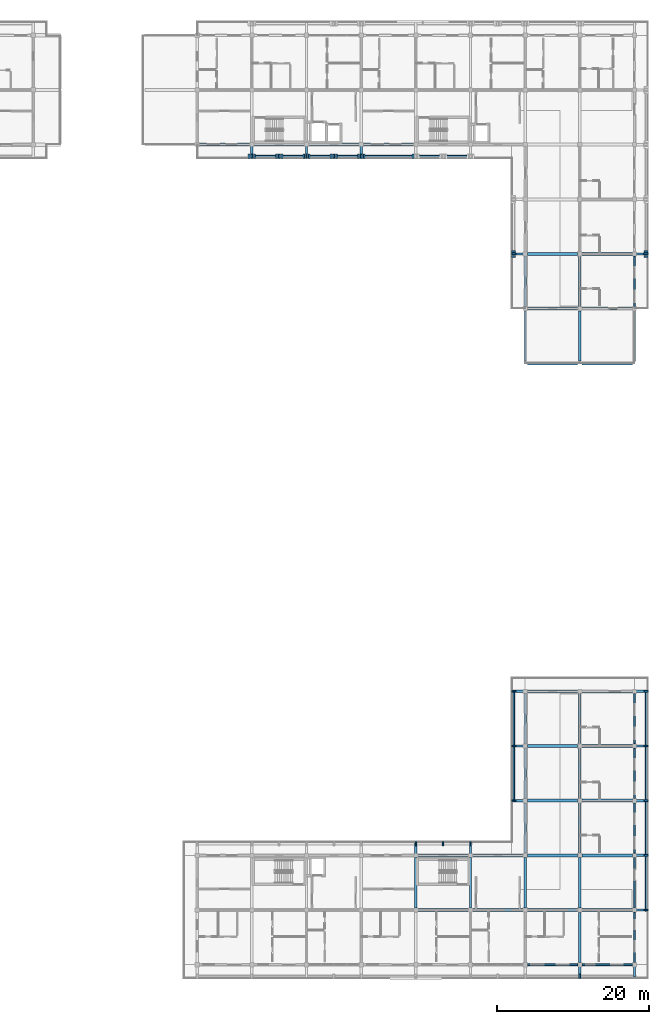
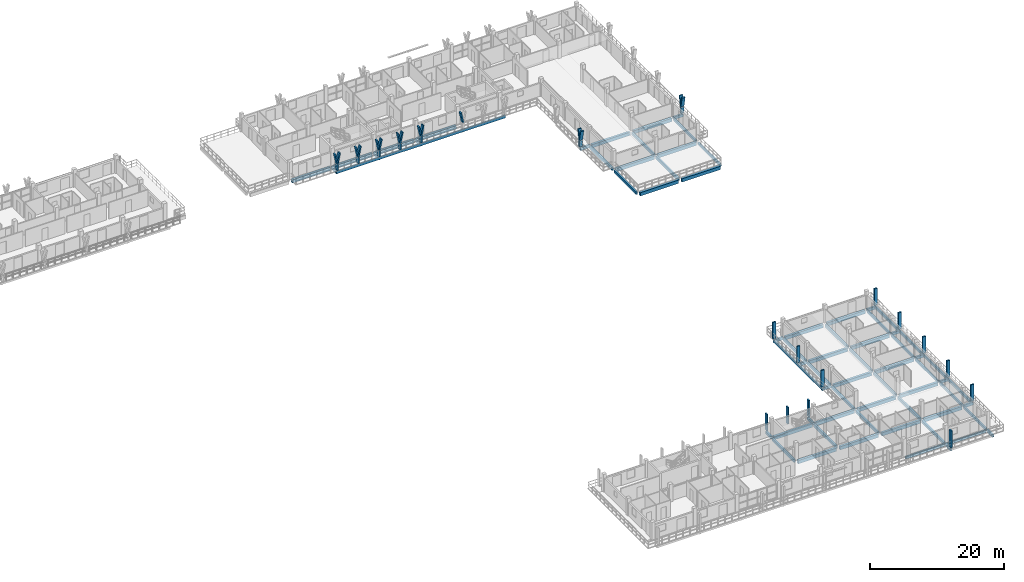
# One storey, part 23 of 73: 68 beams, 34 members.
"""IFC4 building model written with IfcOpenShell, lengths in metres."""

from ifc_helpers import new_model, si_unit, direction, frame, origin, origin_2d, place, context, subcontext, project, spatial, rectangle, extrude, material, material_profile, profile_set, type_object, element, save


model = new_model("IFC4")

# Units and contexts
model_context = context("Model", 3, precision=1e-05, world=origin(), true_north=direction((0.0, 1.0)))
body_context = subcontext(model_context, "Body", "Model", "MODEL_VIEW")
ifc_project = project(units=[si_unit("LENGTHUNIT", "METRE"), si_unit("AREAUNIT", "SQUARE_METRE"), si_unit("VOLUMEUNIT", "CUBIC_METRE"), si_unit("PLANEANGLEUNIT", "RADIAN"), si_unit("MASSUNIT", "GRAM", prefix="KILO")], contexts=[model_context])

# Site, building, storey
site_placement = place(None, origin())
site = spatial("IfcSite", under=ifc_project, at=site_placement, CompositionType="ELEMENT")
building_placement = place(site_placement, origin())
building = spatial("IfcBuilding", under=site, at=building_placement, Name="Suanplinth Sawtooth Commons", CompositionType="ELEMENT")
storey_placement = place(building_placement, frame((0.0, 0.0, 21.89990234375)))
storey = spatial("IfcBuildingStorey", under=building, at=storey_placement, Name="L06", CompositionType="ELEMENT", Elevation=21.89990234375)

# Beams
ifc_material_1 = material(Name="Precast concrete C40/50", Category="concrete")
ifc_material_profile_1 = material_profile(ifc_material_1, rectangle(XDim=0.39990234375, YDim=0.60009765625, at=origin_2d()), Name="PC-GDR 400x600")
ifc_profile_set_1 = profile_set([ifc_material_profile_1], Name="Precast concrete C40/50")
beam_type_1 = type_object("IfcBeamType", Name="B-05", PredefinedType="USERDEFINED", material=ifc_profile_set_1)
beam_1_placement = place(storey_placement, frame((129.89990234375, 108.0, -0.539794921875), z_axis=(1.0, 0.0, 0.0), x_axis=(0.0, 1.0, 0.0)))
element("IfcBeam", 1, at=beam_1_placement, inside=storey, type_object=beam_type_1, Name="BMX-L06-B-18-15", ObjectType="GIRDER", PredefinedType="USERDEFINED", context=body_context, shape_type="SweptSolid", body=[
    extrude(rectangle(XDim=0.39990234375, YDim=0.60009765625, at=origin_2d()), origin(), (0.0, 0.0, 1.0), 6.60009765625),
])
for number, where, z_axis, x_axis, name in (
    (2, (137.10009765625, 108.0, -0.539794921875), (1.0, 0.0, 0.0), (0.0, 1.0, 0.0), "BMX-L06-B-19-15"),
    (3, (144.300048828125, 108.0, -0.539794921875), (1.0, 0.0, 0.0), (0.0, 1.0, 0.0), "BMX-L06-B-20-15"),
):
    element("IfcBeam", number, at=place(storey_placement, frame(where, z_axis=z_axis, x_axis=x_axis)), inside=storey, type_object=beam_type_1, Name=name, ObjectType="GIRDER", PredefinedType="USERDEFINED", context=body_context, shape_type="SweptSolid", body=[
        extrude(rectangle(XDim=0.39990234375, YDim=0.60009765625, at=origin_2d()), origin(), (0.0, 0.0, 1.0), 6.599853515625),
    ])
beam_2_placement = place(storey_placement, frame((151.5, 108.0, -0.539794921875), z_axis=(1.0, 0.0, 0.0), x_axis=(0.0, 1.0, 0.0)))
element("IfcBeam", 4, at=beam_2_placement, inside=storey, type_object=beam_type_1, Name="BMX-L06-B-21-15", ObjectType="GIRDER", PredefinedType="USERDEFINED", context=body_context, shape_type="SweptSolid", body=[
    extrude(rectangle(XDim=0.39990234375, YDim=0.60009765625, at=origin_2d()), origin(), (0.0, 0.0, 1.0), 6.60009765625),
])
for number, where, z_axis, x_axis, name in (
    (5, (173.10009765625, 79.199951171875, -0.539794921875), (1.0, 0.0, 0.0), (0.0, 1.0, 0.0), "BMX-L06-B-24-11"),
    (6, (173.10009765625, 86.39990234375, -0.539794921875), (1.0, 0.0, 0.0), (0.0, 1.0, 0.0), "BMX-L06-B-24-12"),
    (7, (173.10009765625, 93.60009765625, -0.539794921875), (1.0, 0.0, 0.0), (0.0, 1.0, 0.0), "BMX-L06-B-24-13"),
    (8, (180.300048828125, 79.199951171875, -0.539794921875), (1.0, 0.0, 0.0), (0.0, 1.0, 0.0), "BMX-L06-B-25-11"),
    (9, (180.300048828125, 86.39990234375, -0.539794921875), (1.0, 0.0, 0.0), (0.0, 1.0, 0.0), "BMX-L06-B-25-12"),
    (10, (180.300048828125, 93.60009765625, -0.539794921875), (1.0, 0.0, 0.0), (0.0, 1.0, 0.0), "BMX-L06-B-25-13"),
):
    element("IfcBeam", number, at=place(storey_placement, frame(where, z_axis=z_axis, x_axis=x_axis)), inside=storey, type_object=beam_type_1, Name=name, ObjectType="GIRDER", PredefinedType="USERDEFINED", context=body_context, shape_type="SweptSolid", body=[
        extrude(rectangle(XDim=0.39990234375, YDim=0.60009765625, at=origin_2d()), origin(), (0.0, 0.0, 1.0), 6.599853515625),
    ])
for number, where, z_axis, x_axis, name in (
    (11, (158.699951171875, 7.199951171875, -0.539794921875), (1.0, 0.0, 0.0), (0.0, 1.0, 0.0), "BMX-L06-C-22-1"),
    (12, (158.699951171875, 14.39990234375, -0.539794921875), (1.0, 0.0, 0.0), (0.0, 1.0, 0.0), "BMX-L06-C-22-2"),
    (13, (165.89990234375, 7.199951171875, -0.539794921875), (1.0, 0.0, 0.0), (0.0, 1.0, 0.0), "BMX-L06-C-23-1"),
    (14, (165.89990234375, 14.39990234375, -0.539794921875), (1.0, 0.0, 0.0), (0.0, 1.0, 0.0), "BMX-L06-C-23-2"),
):
    element("IfcBeam", number, at=place(storey_placement, frame(where, z_axis=z_axis, x_axis=x_axis)), inside=storey, type_object=beam_type_1, Name=name, ObjectType="GIRDER", PredefinedType="USERDEFINED", context=body_context, shape_type="SweptSolid", body=[
        extrude(rectangle(XDim=0.39990234375, YDim=0.60009765625, at=origin_2d()), origin(), (0.0, 0.0, 1.0), 6.60009765625),
    ])
for number, where, z_axis, x_axis, name in (
    (15, (173.10009765625, 7.199951171875, -0.539794921875), (1.0, 0.0, 0.0), (0.0, 1.0, 0.0), "BMX-L06-C-24-1"),
    (16, (173.10009765625, 14.39990234375, -0.539794921875), (1.0, 0.0, 0.0), (0.0, 1.0, 0.0), "BMX-L06-C-24-2"),
    (17, (173.10009765625, 21.60009765625, -0.539794921875), (1.0, 0.0, 0.0), (0.0, 1.0, 0.0), "BMX-L06-C-24-3"),
    (18, (173.10009765625, 28.800048828125, -0.539794921875), (1.0, 0.0, 0.0), (0.0, 1.0, 0.0), "BMX-L06-C-24-4"),
    (19, (173.10009765625, 36.0, -0.539794921875), (1.0, 0.0, 0.0), (0.0, 1.0, 0.0), "BMX-L06-C-24-5"),
    (20, (180.300048828125, 7.199951171875, -0.539794921875), (1.0, 0.0, 0.0), (0.0, 1.0, 0.0), "BMX-L06-C-25-1"),
    (21, (180.300048828125, 14.39990234375, -0.539794921875), (1.0, 0.0, 0.0), (0.0, 1.0, 0.0), "BMX-L06-C-25-2"),
    (22, (180.300048828125, 21.60009765625, -0.539794921875), (1.0, 0.0, 0.0), (0.0, 1.0, 0.0), "BMX-L06-C-25-3"),
    (23, (180.300048828125, 28.800048828125, -0.539794921875), (1.0, 0.0, 0.0), (0.0, 1.0, 0.0), "BMX-L06-C-25-4"),
    (24, (180.300048828125, 36.0, -0.539794921875), (1.0, 0.0, 0.0), (0.0, 1.0, 0.0), "BMX-L06-C-25-5"),
):
    element("IfcBeam", number, at=place(storey_placement, frame(where, z_axis=z_axis, x_axis=x_axis)), inside=storey, type_object=beam_type_1, Name=name, ObjectType="GIRDER", PredefinedType="USERDEFINED", context=body_context, shape_type="SweptSolid", body=[
        extrude(rectangle(XDim=0.39990234375, YDim=0.60009765625, at=origin_2d()), origin(), (0.0, 0.0, 1.0), 6.599853515625),
    ])
ifc_material_profile_2 = material_profile(ifc_material_1, rectangle(XDim=0.300048828125, YDim=0.5, at=origin_2d()), Name="PC-BM 300x500")
ifc_profile_set_2 = profile_set([ifc_material_profile_2], Name="Precast concrete C40/50")
beam_type_2 = type_object("IfcBeamType", Name="B-07", PredefinedType="BEAM", material=ifc_profile_set_2)
for number, where, z_axis, x_axis, name in (
    (25, (172.800048828125, 79.5, -0.489990234375), (0.0, 1.0, 0.0), (-1.0, 0.0, 0.0), "BMY-L06-B-24-11"),
    (26, (172.800048828125, 86.699951171875, -0.489990234375), (0.0, 1.0, 0.0), (-1.0, 0.0, 0.0), "BMY-L06-B-24-12"),
    (27, (180.0, 79.5, -0.489990234375), (0.0, 1.0, 0.0), (-1.0, 0.0, 0.0), "BMY-L06-B-25-11"),
    (28, (180.0, 86.699951171875, -0.489990234375), (0.0, 1.0, 0.0), (-1.0, 0.0, 0.0), "BMY-L06-B-25-12"),
    (29, (158.39990234375, 7.5, -0.489990234375), (0.0, 1.0, 0.0), (-1.0, 0.0, 0.0), "BMY-L06-C-22-1"),
    (30, (165.60009765625, 7.5, -0.489990234375), (0.0, 1.0, 0.0), (-1.0, 0.0, 0.0), "BMY-L06-C-23-1"),
    (31, (172.800048828125, 7.5, -0.489990234375), (0.0, 1.0, 0.0), (-1.0, 0.0, 0.0), "BMY-L06-C-24-1"),
    (32, (172.800048828125, 14.699951171875, -0.489990234375), (0.0, 1.0, 0.0), (-1.0, 0.0, 0.0), "BMY-L06-C-24-2"),
    (33, (172.800048828125, 21.89990234375, -0.489990234375), (0.0, 1.0, 0.0), (-1.0, 0.0, 0.0), "BMY-L06-C-24-3"),
):
    element("IfcBeam", number, at=place(storey_placement, frame(where, z_axis=z_axis, x_axis=x_axis)), inside=storey, type_object=beam_type_2, Name=name, PredefinedType="BEAM", context=body_context, shape_type="SweptSolid", body=[
        extrude(rectangle(XDim=0.300048828125, YDim=0.5, at=origin_2d()), origin(), (0.0, 0.0, 1.0), 6.60009765625),
    ])
for number, where, z_axis, x_axis, name in (
    (34, (172.800048828125, 29.10009765625, -0.489990234375), (0.0, 1.0, 0.0), (-1.0, 0.0, 0.0), "BMY-L06-C-24-4"),
    (35, (180.0, 0.300048828125, -0.489990234375), (0.0, 1.0, 0.0), (-1.0, 0.0, 0.0), "BMY-L06-C-25-0"),
):
    element("IfcBeam", number, at=place(storey_placement, frame(where, z_axis=z_axis, x_axis=x_axis)), inside=storey, type_object=beam_type_2, Name=name, PredefinedType="BEAM", context=body_context, shape_type="SweptSolid", body=[
        extrude(rectangle(XDim=0.300048828125, YDim=0.5, at=origin_2d()), origin(), (0.0, 0.0, 1.0), 6.599853515625),
    ])
for number, where, z_axis, x_axis, name in (
    (36, (180.0, 7.5, -0.489990234375), (0.0, 1.0, 0.0), (-1.0, 0.0, 0.0), "BMY-L06-C-25-1"),
    (37, (180.0, 14.699951171875, -0.489990234375), (0.0, 1.0, 0.0), (-1.0, 0.0, 0.0), "BMY-L06-C-25-2"),
    (38, (180.0, 21.89990234375, -0.489990234375), (0.0, 1.0, 0.0), (-1.0, 0.0, 0.0), "BMY-L06-C-25-3"),
):
    element("IfcBeam", number, at=place(storey_placement, frame(where, z_axis=z_axis, x_axis=x_axis)), inside=storey, type_object=beam_type_2, Name=name, PredefinedType="BEAM", context=body_context, shape_type="SweptSolid", body=[
        extrude(rectangle(XDim=0.300048828125, YDim=0.5, at=origin_2d()), origin(), (0.0, 0.0, 1.0), 6.60009765625),
    ])
beam_3_placement = place(storey_placement, frame((180.0, 29.10009765625, -0.489990234375), z_axis=(0.0, 1.0, 0.0), x_axis=(-1.0, 0.0, 0.0)))
element("IfcBeam", 39, at=beam_3_placement, inside=storey, type_object=beam_type_2, Name="BMY-L06-C-25-4", PredefinedType="BEAM", context=body_context, shape_type="SweptSolid", body=[
    extrude(rectangle(XDim=0.300048828125, YDim=0.5, at=origin_2d()), origin(), (0.0, 0.0, 1.0), 6.599853515625),
])
beam_4_placement = place(storey_placement, frame((187.199951171875, 93.60009765625, -0.429931640625), z_axis=(1.0, 0.0, 0.0), x_axis=(0.0, 1.0, 0.0)))
element("IfcBeam", 40, at=beam_4_placement, inside=storey, type_object=beam_type_2, Name="Balcony Outrigger L06-B-E-13", PredefinedType="BEAM", context=body_context, shape_type="SweptSolid", body=[
    extrude(rectangle(XDim=0.300048828125, YDim=0.5, at=origin_2d()), origin(), (0.0, 0.0, 1.0), 1.64013671875),
])
for number, where, z_axis, x_axis, name in (
    (41, (136.800048828125, 108.0, -0.4248046875), (0.0, -1.0, 0.0), (1.0, 0.0, 0.0), "Balcony Outrigger L06-B-SC-19"),
    (42, (144.0, 108.0, -0.4248046875), (0.0, -1.0, 0.0), (1.0, 0.0, 0.0), "Balcony Outrigger L06-B-SC-20"),
    (43, (151.199951171875, 108.0, -0.4248046875), (0.0, -1.0, 0.0), (1.0, 0.0, 0.0), "Balcony Outrigger L06-B-SC-21"),
):
    element("IfcBeam", number, at=place(storey_placement, frame(where, z_axis=z_axis, x_axis=x_axis)), inside=storey, type_object=beam_type_2, Name=name, PredefinedType="BEAM", context=body_context, shape_type="SweptSolid", body=[
        extrude(rectangle(XDim=0.300048828125, YDim=0.5, at=origin_2d()), origin(), (0.0, 0.0, 1.0), 1.639892578125),
    ])
beam_5_placement = place(storey_placement, frame((172.800048828125, 93.60009765625, -0.4248046875), z_axis=(-1.0, 0.0, 0.0), x_axis=(0.0, -1.0, 0.0)))
element("IfcBeam", 44, at=beam_5_placement, inside=storey, type_object=beam_type_2, Name="Balcony Outrigger L06-B-WC-13", PredefinedType="BEAM", context=body_context, shape_type="SweptSolid", body=[
    extrude(rectangle(XDim=0.300048828125, YDim=0.5, at=origin_2d()), origin(), (0.0, 0.0, 1.0), 1.64013671875),
])
for number, where, z_axis, x_axis, name in (
    (45, (180.0, 0.0, -0.429931640625), (0.0, -1.0, 0.0), (1.0, 0.0, 0.0), "Balcony Outrigger L06-C-S-25"),
    (46, (187.199951171875, 0.0, -0.429931640625), (0.0, -1.0, 0.0), (1.0, 0.0, 0.0), "Balcony Outrigger L06-C-S-26"),
):
    element("IfcBeam", number, at=place(storey_placement, frame(where, z_axis=z_axis, x_axis=x_axis)), inside=storey, type_object=beam_type_2, Name=name, PredefinedType="BEAM", context=body_context, shape_type="SweptSolid", body=[
        extrude(rectangle(XDim=0.300048828125, YDim=0.5, at=origin_2d()), origin(), (0.0, 0.0, 1.0), 1.639892578125),
    ])
for number, where, z_axis, x_axis, name in (
    (47, (187.199951171875, 7.199951171875, -0.429931640625), (1.0, 0.0, 0.0), (0.0, 1.0, 0.0), "Balcony Outrigger L06-C-E-1"),
    (48, (187.199951171875, 14.39990234375, -0.429931640625), (1.0, 0.0, 0.0), (0.0, 1.0, 0.0), "Balcony Outrigger L06-C-E-2"),
    (49, (187.199951171875, 21.60009765625, -0.429931640625), (1.0, 0.0, 0.0), (0.0, 1.0, 0.0), "Balcony Outrigger L06-C-E-3"),
    (50, (187.199951171875, 28.800048828125, -0.429931640625), (1.0, 0.0, 0.0), (0.0, 1.0, 0.0), "Balcony Outrigger L06-C-E-4"),
    (51, (187.199951171875, 36.0, -0.429931640625), (1.0, 0.0, 0.0), (0.0, 1.0, 0.0), "Balcony Outrigger L06-C-E-5"),
    (52, (158.39990234375, 14.39990234375, -0.4248046875), (0.0, 1.0, 0.0), (-1.0, 0.0, 0.0), "Balcony Outrigger L06-C-NC-22"),
    (53, (165.60009765625, 14.39990234375, -0.4248046875), (0.0, 1.0, 0.0), (-1.0, 0.0, 0.0), "Balcony Outrigger L06-C-NC-23"),
    (54, (172.800048828125, 21.60009765625, -0.4248046875), (-1.0, 0.0, 0.0), (0.0, -1.0, 0.0), "Balcony Outrigger L06-C-WC-3"),
    (55, (172.800048828125, 28.800048828125, -0.4248046875), (-1.0, 0.0, 0.0), (0.0, -1.0, 0.0), "Balcony Outrigger L06-C-WC-4"),
    (56, (172.800048828125, 36.0, -0.4248046875), (-1.0, 0.0, 0.0), (0.0, -1.0, 0.0), "Balcony Outrigger L06-C-WC-5"),
):
    element("IfcBeam", number, at=place(storey_placement, frame(where, z_axis=z_axis, x_axis=x_axis)), inside=storey, type_object=beam_type_2, Name=name, PredefinedType="BEAM", context=body_context, shape_type="SweptSolid", body=[
        extrude(rectangle(XDim=0.300048828125, YDim=0.5, at=origin_2d()), origin(), (0.0, 0.0, 1.0), 1.64013671875),
    ])
ifc_material_profile_3 = material_profile(ifc_material_1, rectangle(XDim=0.25, YDim=0.449951171875, at=origin_2d()), Name="PC-SP 250x450")
ifc_profile_set_3 = profile_set([ifc_material_profile_3], Name="Precast concrete C40/50")
beam_type_3 = type_object("IfcBeamType", Name="B-09", PredefinedType="SPANDREL", material=ifc_profile_set_3)
for number, where, z_axis, x_axis, name in (
    (57, (187.199951171875, 79.5, -0.46484375), (0.0, 1.0, 0.0), (-1.0, 0.0, 0.0), "BMY-L06-B-26-11"),
    (58, (187.199951171875, 86.699951171875, -0.46484375), (0.0, 1.0, 0.0), (-1.0, 0.0, 0.0), "BMY-L06-B-26-12"),
):
    element("IfcBeam", number, at=place(storey_placement, frame(where, z_axis=z_axis, x_axis=x_axis)), inside=storey, type_object=beam_type_3, Name=name, PredefinedType="SPANDREL", context=body_context, shape_type="SweptSolid", body=[
        extrude(rectangle(XDim=0.25, YDim=0.449951171875, at=origin_2d()), origin(), (0.0, 0.0, 1.0), 6.60009765625),
    ])
for number, where, z_axis, x_axis, name in (
    (59, (173.10009765625, 0.0, -0.46484375), (1.0, 0.0, 0.0), (0.0, 1.0, 0.0), "BMX-L06-C-24-0"),
    (60, (180.300048828125, 0.0, -0.46484375), (1.0, 0.0, 0.0), (0.0, 1.0, 0.0), "BMX-L06-C-25-0"),
    (61, (187.199951171875, 0.300048828125, -0.46484375), (0.0, 1.0, 0.0), (-1.0, 0.0, 0.0), "BMY-L06-C-26-0"),
):
    element("IfcBeam", number, at=place(storey_placement, frame(where, z_axis=z_axis, x_axis=x_axis)), inside=storey, type_object=beam_type_3, Name=name, PredefinedType="SPANDREL", context=body_context, shape_type="SweptSolid", body=[
        extrude(rectangle(XDim=0.25, YDim=0.449951171875, at=origin_2d()), origin(), (0.0, 0.0, 1.0), 6.599853515625),
    ])
for number, where, z_axis, x_axis, name in (
    (62, (187.199951171875, 7.5, -0.46484375), (0.0, 1.0, 0.0), (-1.0, 0.0, 0.0), "BMY-L06-C-26-1"),
    (63, (187.199951171875, 14.699951171875, -0.46484375), (0.0, 1.0, 0.0), (-1.0, 0.0, 0.0), "BMY-L06-C-26-2"),
    (64, (187.199951171875, 21.89990234375, -0.46484375), (0.0, 1.0, 0.0), (-1.0, 0.0, 0.0), "BMY-L06-C-26-3"),
):
    element("IfcBeam", number, at=place(storey_placement, frame(where, z_axis=z_axis, x_axis=x_axis)), inside=storey, type_object=beam_type_3, Name=name, PredefinedType="SPANDREL", context=body_context, shape_type="SweptSolid", body=[
        extrude(rectangle(XDim=0.25, YDim=0.449951171875, at=origin_2d()), origin(), (0.0, 0.0, 1.0), 6.60009765625),
    ])
beam_6_placement = place(storey_placement, frame((187.199951171875, 29.10009765625, -0.46484375), z_axis=(0.0, 1.0, 0.0), x_axis=(-1.0, 0.0, 0.0)))
element("IfcBeam", 65, at=beam_6_placement, inside=storey, type_object=beam_type_3, Name="BMY-L06-C-26-4", PredefinedType="SPANDREL", context=body_context, shape_type="SweptSolid", body=[
    extrude(rectangle(XDim=0.25, YDim=0.449951171875, at=origin_2d()), origin(), (0.0, 0.0, 1.0), 6.599853515625),
])
beam_7_placement = place(storey_placement, frame((136.64990234375, 106.47998046875, -0.39990234375), z_axis=(1.0, 0.0, 0.0), x_axis=(0.0, 1.0, 0.0)))
element("IfcBeam", 66, at=beam_7_placement, inside=storey, type_object=beam_type_3, Name="Balcony Edge Fascia L06-B-SC", PredefinedType="SPANDREL", context=body_context, shape_type="SweptSolid", body=[
    extrude(rectangle(XDim=0.25, YDim=0.449951171875, at=origin_2d()), origin(), (0.0, 0.0, 1.0), 29.10009765625),
])
beam_8_placement = place(storey_placement, frame((188.719970703125, 7.050048828125, -0.40478515625), z_axis=(0.0, 1.0, 0.0), x_axis=(-1.0, 0.0, 0.0)))
element("IfcBeam", 67, at=beam_8_placement, inside=storey, type_object=beam_type_3, Name="Balcony Edge Fascia L06-C-E", PredefinedType="SPANDREL", context=body_context, shape_type="SweptSolid", body=[
    extrude(rectangle(XDim=0.25, YDim=0.449951171875, at=origin_2d()), origin(), (0.0, 0.0, 1.0), 29.099853515625),
])
beam_9_placement = place(storey_placement, frame((171.280029296875, 21.449951171875, -0.39990234375), z_axis=(0.0, 1.0, 0.0), x_axis=(-1.0, 0.0, 0.0)))
element("IfcBeam", 68, at=beam_9_placement, inside=storey, type_object=beam_type_3, Name="Balcony Edge Fascia L06-C-WC", PredefinedType="SPANDREL", context=body_context, shape_type="SweptSolid", body=[
    extrude(rectangle(XDim=0.25, YDim=0.449951171875, at=origin_2d()), origin(), (0.0, 0.0, 1.0), 14.699951171875),
])

# Members
ifc_material_2 = material(Name="Pigmented precast concrete C40/50", Category="concrete")
ifc_material_profile_4 = material_profile(ifc_material_2, rectangle(XDim=0.260009765625, YDim=0.550048828125, at=origin_2d()), Name="PC-FIN 260x550")
ifc_profile_set_4 = profile_set([ifc_material_profile_4], Name="Pigmented precast concrete C40/50")
member_type_1 = type_object("IfcMemberType", Name="M-09", PredefinedType="USERDEFINED", material=ifc_profile_set_4)
for number, where, z_axis, x_axis, name in (
    (69, (188.719970703125, 93.60009765625, 0.0), (0.0, 0.0, 1.0), (0.0, 1.0, 0.0), "Y-Blade Stem L06-B-E-08"),
    (70, (136.800048828125, 106.47998046875, 0.0), (0.0, 0.0, 1.0), (1.0, 0.0, 0.0), "Y-Blade Stem L06-B-SC-12"),
    (71, (140.39990234375, 106.47998046875, 0.0), (0.0, 0.0, 1.0), (1.0, 0.0, 0.0), "Y-Blade Stem L06-B-SC-13"),
    (72, (144.0, 106.47998046875, 0.0), (0.0, 0.0, 1.0), (1.0, 0.0, 0.0), "Y-Blade Stem L06-B-SC-14"),
    (73, (147.60009765625, 106.47998046875, 0.0), (0.0, 0.0, 1.0), (1.0, 0.0, 0.0), "Y-Blade Stem L06-B-SC-15"),
    (74, (151.199951171875, 106.47998046875, 0.0), (0.0, 0.0, 1.0), (1.0, 0.0, 0.0), "Y-Blade Stem L06-B-SC-16"),
    (75, (171.280029296875, 93.60009765625, 0.0), (0.0, 0.0, 1.0), (0.0, 1.0, 0.0), "Y-Blade Stem L06-B-WC-20"),
):
    element("IfcMember", number, at=place(storey_placement, frame(where, z_axis=z_axis, x_axis=x_axis)), inside=storey, type_object=member_type_1, Name=name, ObjectType="SHADING FIN", PredefinedType="USERDEFINED", context=body_context, shape_type="SweptSolid", body=[
        extrude(rectangle(XDim=0.260009765625, YDim=0.550048828125, at=origin_2d()), origin(), (0.0, 0.0, 1.0), 1.170166015625),
    ])
ifc_material_profile_5 = material_profile(ifc_material_2, rectangle(XDim=0.219970703125, YDim=0.550048828125, at=origin_2d()), Name="PC-FIN 220x550")
ifc_profile_set_5 = profile_set([ifc_material_profile_5], Name="Pigmented precast concrete C40/50")
member_type_2 = type_object("IfcMemberType", Name="M-10", PredefinedType="USERDEFINED", material=ifc_profile_set_5)
member_1_placement = place(storey_placement, frame((188.719970703125, 93.60009765625, 1.130126953125), z_axis=(0.0, -0.196431120402, 0.980517626021), x_axis=(0.0, 0.980517626021, 0.196431120402)))
element("IfcMember", 76, at=member_1_placement, inside=storey, type_object=member_type_2, Name="Y-Blade Arm L L06-B-E-08", ObjectType="SHADING FIN", PredefinedType="USERDEFINED", context=body_context, shape_type="SweptSolid", body=[
    extrude(rectangle(XDim=0.219970703125, YDim=0.550048828125, at=origin_2d()), origin(), (0.0, 0.0, 1.0), 1.937744140625),
])
member_2_placement = place(storey_placement, frame((188.719970703125, 93.60009765625, 1.130126953125), z_axis=(0.0, 0.196309979414, 0.980541886909), x_axis=(0.0, -0.980541886909, 0.196309979414)))
element("IfcMember", 77, at=member_2_placement, inside=storey, type_object=member_type_2, Name="Y-Blade Arm R L06-B-E-08", ObjectType="SHADING FIN", PredefinedType="USERDEFINED", context=body_context, shape_type="SweptSolid", body=[
    extrude(rectangle(XDim=0.219970703125, YDim=0.550048828125, at=origin_2d()), origin(), (0.0, 0.0, 1.0), 1.9375),
])
member_3_placement = place(storey_placement, frame((136.800048828125, 106.47998046875, 1.130126953125), z_axis=(-0.196431120402, 0.0, 0.980517626021), x_axis=(0.980517626021, 0.0, 0.196431120402)))
element("IfcMember", 78, at=member_3_placement, inside=storey, type_object=member_type_2, Name="Y-Blade Arm L L06-B-SC-12", ObjectType="SHADING FIN", PredefinedType="USERDEFINED", context=body_context, shape_type="SweptSolid", body=[
    extrude(rectangle(XDim=0.219970703125, YDim=0.550048828125, at=origin_2d()), origin(), (0.0, 0.0, 1.0), 1.937744140625),
])
for number, where, z_axis, x_axis, name in (
    (79, (136.800048828125, 106.47998046875, 1.130126953125), (0.196309979414, 0.0, 0.980541886909), (-0.980541886909, 0.0, 0.196309979414), "Y-Blade Arm R L06-B-SC-12"),
    (80, (140.39990234375, 106.47998046875, 1.130126953125), (-0.196309979414, 0.0, 0.980541886909), (0.980541886909, 0.0, 0.196309979414), "Y-Blade Arm L L06-B-SC-13"),
):
    element("IfcMember", number, at=place(storey_placement, frame(where, z_axis=z_axis, x_axis=x_axis)), inside=storey, type_object=member_type_2, Name=name, ObjectType="SHADING FIN", PredefinedType="USERDEFINED", context=body_context, shape_type="SweptSolid", body=[
        extrude(rectangle(XDim=0.219970703125, YDim=0.550048828125, at=origin_2d()), origin(), (0.0, 0.0, 1.0), 1.9375),
    ])
for number, where, z_axis, x_axis, name in (
    (81, (140.39990234375, 106.47998046875, 1.130126953125), (0.196431120402, 0.0, 0.980517626021), (-0.980517626021, 0.0, 0.196431120402), "Y-Blade Arm R L06-B-SC-13"),
    (82, (144.0, 106.47998046875, 1.130126953125), (-0.196431120402, 0.0, 0.980517626021), (0.980517626021, 0.0, 0.196431120402), "Y-Blade Arm L L06-B-SC-14"),
    (83, (144.0, 106.47998046875, 1.130126953125), (0.196431120402, 0.0, 0.980517626021), (-0.980517626021, 0.0, 0.196431120402), "Y-Blade Arm R L06-B-SC-14"),
    (84, (147.60009765625, 106.47998046875, 1.130126953125), (-0.196431120402, 0.0, 0.980517626021), (0.980517626021, 0.0, 0.196431120402), "Y-Blade Arm L L06-B-SC-15"),
):
    element("IfcMember", number, at=place(storey_placement, frame(where, z_axis=z_axis, x_axis=x_axis)), inside=storey, type_object=member_type_2, Name=name, ObjectType="SHADING FIN", PredefinedType="USERDEFINED", context=body_context, shape_type="SweptSolid", body=[
        extrude(rectangle(XDim=0.219970703125, YDim=0.550048828125, at=origin_2d()), origin(), (0.0, 0.0, 1.0), 1.937744140625),
    ])
for number, where, z_axis, x_axis, name in (
    (85, (147.60009765625, 106.47998046875, 1.130126953125), (0.196309979414, 0.0, 0.980541886909), (-0.980541886909, 0.0, 0.196309979414), "Y-Blade Arm R L06-B-SC-15"),
    (86, (151.199951171875, 106.47998046875, 1.130126953125), (-0.196309979414, 0.0, 0.980541886909), (0.980541886909, 0.0, 0.196309979414), "Y-Blade Arm L L06-B-SC-16"),
):
    element("IfcMember", number, at=place(storey_placement, frame(where, z_axis=z_axis, x_axis=x_axis)), inside=storey, type_object=member_type_2, Name=name, ObjectType="SHADING FIN", PredefinedType="USERDEFINED", context=body_context, shape_type="SweptSolid", body=[
        extrude(rectangle(XDim=0.219970703125, YDim=0.550048828125, at=origin_2d()), origin(), (0.0, 0.0, 1.0), 1.9375),
    ])
member_4_placement = place(storey_placement, frame((151.199951171875, 106.47998046875, 1.130126953125), z_axis=(0.196431120402, 0.0, 0.980517626021), x_axis=(-0.980517626021, 0.0, 0.196431120402)))
element("IfcMember", 87, at=member_4_placement, inside=storey, type_object=member_type_2, Name="Y-Blade Arm R L06-B-SC-16", ObjectType="SHADING FIN", PredefinedType="USERDEFINED", context=body_context, shape_type="SweptSolid", body=[
    extrude(rectangle(XDim=0.219970703125, YDim=0.550048828125, at=origin_2d()), origin(), (0.0, 0.0, 1.0), 1.937744140625),
])
member_5_placement = place(storey_placement, frame((158.39990234375, 106.47998046875, 1.130126953125), z_axis=(-0.196309979414, 0.0, 0.980541886909), x_axis=(0.980541886909, 0.0, 0.196309979414)))
element("IfcMember", 88, at=member_5_placement, inside=storey, type_object=member_type_2, Name="Y-Blade Arm L L06-B-SC-17", ObjectType="SHADING FIN", PredefinedType="USERDEFINED", context=body_context, shape_type="SweptSolid", body=[
    extrude(rectangle(XDim=0.219970703125, YDim=0.550048828125, at=origin_2d()), origin(), (0.0, 0.0, 1.0), 1.9375),
])
member_6_placement = place(storey_placement, frame((171.280029296875, 93.60009765625, 1.130126953125), z_axis=(0.0, -0.196431120402, 0.980517626021), x_axis=(0.0, 0.980517626021, 0.196431120402)))
element("IfcMember", 89, at=member_6_placement, inside=storey, type_object=member_type_2, Name="Y-Blade Arm L L06-B-WC-20", ObjectType="SHADING FIN", PredefinedType="USERDEFINED", context=body_context, shape_type="SweptSolid", body=[
    extrude(rectangle(XDim=0.219970703125, YDim=0.550048828125, at=origin_2d()), origin(), (0.0, 0.0, 1.0), 1.937744140625),
])
member_7_placement = place(storey_placement, frame((171.280029296875, 93.60009765625, 1.130126953125), z_axis=(0.0, 0.196309979414, 0.980541886909), x_axis=(0.0, -0.980541886909, 0.196309979414)))
element("IfcMember", 90, at=member_7_placement, inside=storey, type_object=member_type_2, Name="Y-Blade Arm R L06-B-WC-20", ObjectType="SHADING FIN", PredefinedType="USERDEFINED", context=body_context, shape_type="SweptSolid", body=[
    extrude(rectangle(XDim=0.219970703125, YDim=0.550048828125, at=origin_2d()), origin(), (0.0, 0.0, 1.0), 1.9375),
])
ifc_material_profile_6 = material_profile(ifc_material_2, rectangle(XDim=0.25, YDim=0.5400390625, at=origin_2d()), Name="PC-FIN 250x540")
ifc_profile_set_6 = profile_set([ifc_material_profile_6], Name="Pigmented precast concrete C40/50")
member_type_3 = type_object("IfcMemberType", Name="M-11", PredefinedType="USERDEFINED", material=ifc_profile_set_6)
for number, where, z_axis, x_axis, name in (
    (91, (180.0, -1.52001953125, 0.0), (0.0, 0.0, 1.0), (1.0, 0.0, 0.0), "Upright Solar Blade L06-C-S-09"),
    (92, (188.719970703125, 7.199951171875, 0.0), (0.0, 0.0, 1.0), (0.0, 1.0, 0.0), "Upright Solar Blade L06-C-E-10"),
    (93, (188.719970703125, 14.39990234375, 0.0), (0.0, 0.0, 1.0), (0.0, 1.0, 0.0), "Upright Solar Blade L06-C-E-11"),
    (94, (188.719970703125, 21.60009765625, 0.0), (0.0, 0.0, 1.0), (0.0, 1.0, 0.0), "Upright Solar Blade L06-C-E-12"),
    (95, (188.719970703125, 28.800048828125, 0.0), (0.0, 0.0, 1.0), (0.0, 1.0, 0.0), "Upright Solar Blade L06-C-E-13"),
    (96, (188.719970703125, 36.0, 0.0), (0.0, 0.0, 1.0), (0.0, 1.0, 0.0), "Upright Solar Blade L06-C-E-14"),
):
    element("IfcMember", number, at=place(storey_placement, frame(where, z_axis=z_axis, x_axis=x_axis)), inside=storey, type_object=member_type_3, Name=name, ObjectType="SHADING FIN", PredefinedType="USERDEFINED", context=body_context, shape_type="SweptSolid", body=[
        extrude(rectangle(XDim=0.25, YDim=0.5400390625, at=origin_2d()), origin(), (0.0, 0.0, 1.0), 3.030029296875),
    ])
ifc_material_profile_7 = material_profile(ifc_material_2, rectangle(XDim=0.2099609375, YDim=0.52001953125, at=origin_2d()), Name="PC-FIN 210x520")
ifc_profile_set_7 = profile_set([ifc_material_profile_7], Name="Pigmented precast concrete C40/50")
member_type_4 = type_object("IfcMemberType", Name="M-12", PredefinedType="USERDEFINED", material=ifc_profile_set_7)
for number, where, z_axis, x_axis, name in (
    (97, (158.39990234375, 15.919921875, 0.0), (0.0, 0.0, 1.0), (1.0, 0.0, 0.0), "Upright Solar Blade L06-C-NC-21"),
    (98, (162.0, 15.919921875, 0.0), (0.0, 0.0, 1.0), (1.0, 0.0, 0.0), "Upright Solar Blade L06-C-NC-22"),
    (99, (165.60009765625, 15.919921875, 0.0), (0.0, 0.0, 1.0), (1.0, 0.0, 0.0), "Upright Solar Blade L06-C-NC-23"),
    (100, (171.280029296875, 21.60009765625, 0.0), (0.0, 0.0, 1.0), (0.0, 1.0, 0.0), "Upright Solar Blade L06-C-WC-24"),
    (101, (171.280029296875, 28.800048828125, 0.0), (0.0, 0.0, 1.0), (0.0, 1.0, 0.0), "Upright Solar Blade L06-C-WC-25"),
    (102, (171.280029296875, 36.0, 0.0), (0.0, 0.0, 1.0), (0.0, 1.0, 0.0), "Upright Solar Blade L06-C-WC-26"),
):
    element("IfcMember", number, at=place(storey_placement, frame(where, z_axis=z_axis, x_axis=x_axis)), inside=storey, type_object=member_type_4, Name=name, ObjectType="SHADING FIN", PredefinedType="USERDEFINED", context=body_context, shape_type="SweptSolid", body=[
        extrude(rectangle(XDim=0.2099609375, YDim=0.52001953125, at=origin_2d()), origin(), (0.0, 0.0, 1.0), 3.030029296875),
    ])

save(model, "model.ifc")
